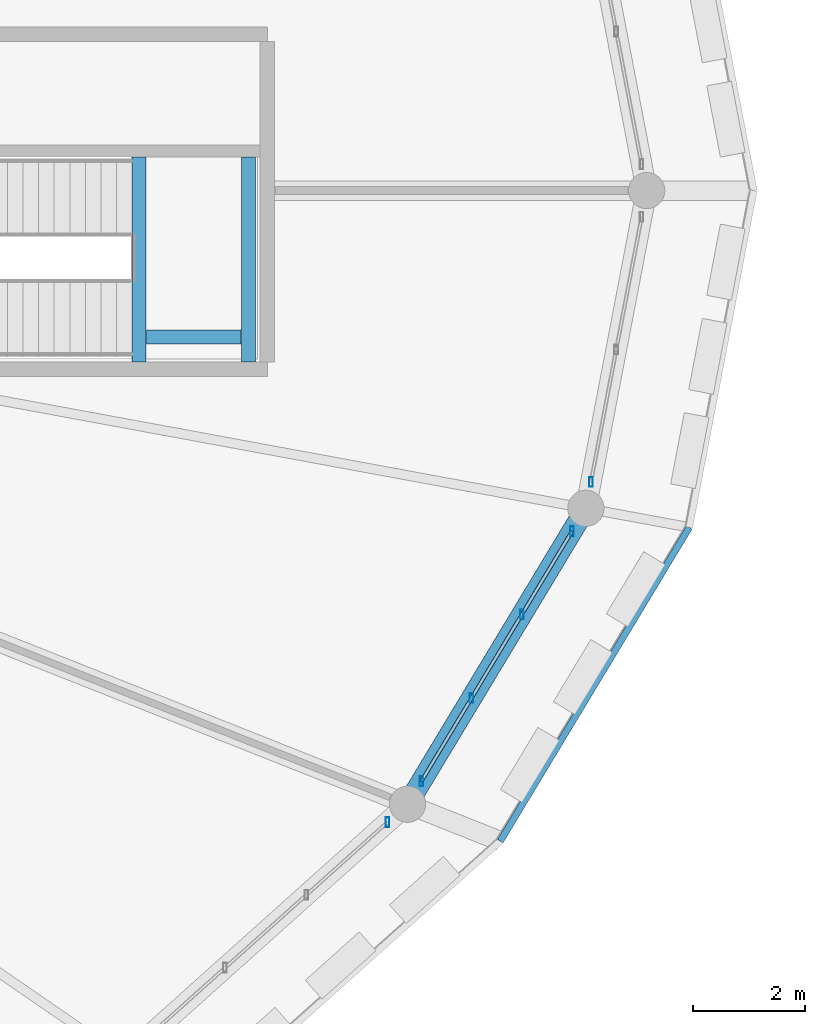
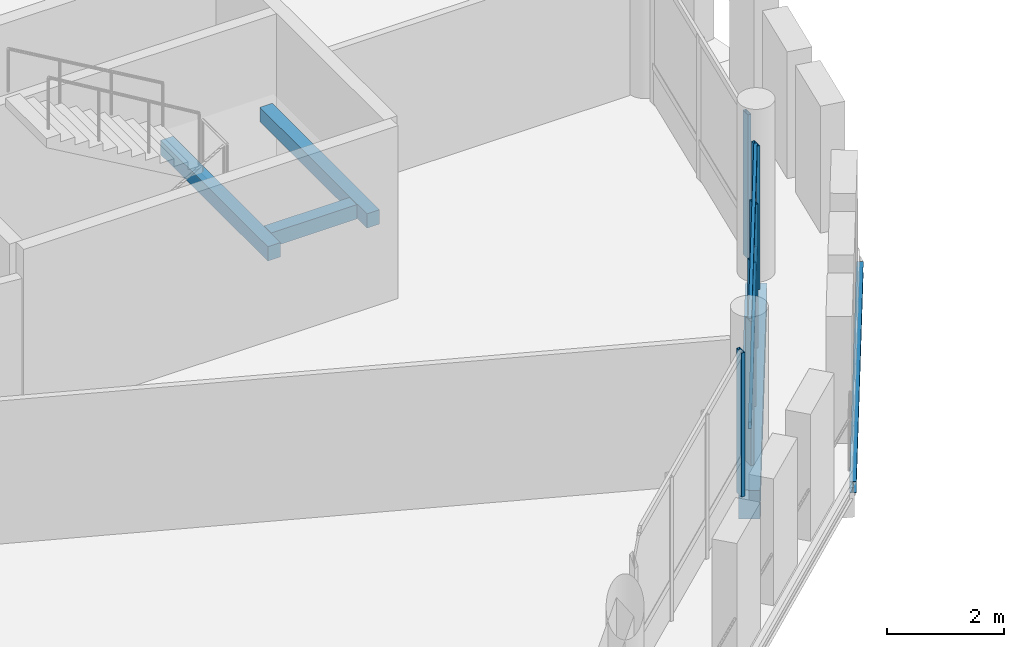
# One storey, part 33 of 93: 8 members, 5 beams, 3 elements without a shape of their own.
"""IFC4 building model written with IfcOpenShell, lengths in metres."""

import ifcopenshell
import ifcopenshell.guid

model = None  # the IFC model being written
_history = None  # IfcOwnerHistory: only IFC2X3 demands one
_inside = {}  # id of a spatial element -> (the spatial element, [elements in it])
_under = {}  # id of a project, library or spatial element -> (it, [spatial elements below it])
_declared = {}  # id of a project -> (the project, [libraries it declares])
_typed = {}  # id of a type object -> (the type object, [elements of that type])
_made_of = {}  # id of a material, layer set ... -> (it, [elements and type objects made of it])


def new_model(schema):
    """Start an empty IFC model of exactly this schema.

    Asked for "IFC4X3", IfcOpenShell would pick the latest addendum, in which some entities
    have other attributes; the version numbers below select the first issue.
    IFC2X3 requires an IfcOwnerHistory on every rooted entity: one is made here for all.
    """
    global model, _history
    if schema == "IFC4X3":
        model = ifcopenshell.file(schema_version=(4, 3, 0, 0))
    else:
        model = ifcopenshell.file(schema=schema)
    _inside.clear()
    _under.clear()
    _declared.clear()
    _typed.clear()
    _made_of.clear()
    _history = None
    if model.schema == "IFC2X3":
        org = make("IfcOrganization", Name="unknown")
        user = make(
            "IfcPersonAndOrganization",
            ThePerson=make("IfcPerson", FamilyName="unknown"),
            TheOrganization=org,
        )
        app = make(
            "IfcApplication",
            ApplicationDeveloper=org,
            Version="unknown",
            ApplicationFullName="unknown",
            ApplicationIdentifier="unknown",
        )
        _history = make(
            "IfcOwnerHistory",
            OwningUser=user,
            OwningApplication=app,
            ChangeAction="ADDED",
            CreationDate=0,
        )
    return model


def make(cls, **values):
    """One entity of the class cls with the attributes given. An attribute that is None is left unset."""
    return model.create_entity(
        cls, **{name: value for name, value in values.items() if value is not None}
    )


def rooted(cls, **values):
    """An entity with a GlobalId (a new one), such as an element, a storey or a relation."""
    return make(cls, GlobalId=ifcopenshell.guid.new(), OwnerHistory=_history, **values)


def si_unit(unit_type, name, prefix=None):
    """IfcSIUnit, for example si_unit("LENGTHUNIT", "METRE", prefix="MILLI")."""
    return make("IfcSIUnit", UnitType=unit_type, Prefix=prefix, Name=name)


def assignment(units):
    """IfcUnitAssignment: the units of a project."""
    return None if units is None else make("IfcUnitAssignment", Units=units)


def point(xyz):
    """IfcCartesianPoint."""
    return None if xyz is None else make("IfcCartesianPoint", Coordinates=xyz)


def direction(xyz):
    """IfcDirection."""
    return None if xyz is None else make("IfcDirection", DirectionRatios=xyz)


def frame(location, z_axis=None, x_axis=None):
    """IfcAxis2Placement3D, a coordinate frame: its origin and axes. An axis left out is left unset."""
    return make(
        "IfcAxis2Placement3D",
        Location=point(location),
        Axis=direction(z_axis),
        RefDirection=direction(x_axis),
    )


def frame_2d(location, x_axis=None):
    """IfcAxis2Placement2D, a coordinate frame in the plane: its origin and x axis."""
    return make(
        "IfcAxis2Placement2D", Location=point(location), RefDirection=direction(x_axis)
    )


def origin():
    """The frame at (0, 0, 0) with its axes left unset."""
    return frame((0.0, 0.0, 0.0))


def origin_2d():
    """The frame at (0, 0) in the plane with its x axis left unset."""
    return frame_2d((0.0, 0.0))


def place(relative_to, where):
    """IfcLocalPlacement: puts the frame where relative to a parent placement (None: the world)."""
    return make(
        "IfcLocalPlacement", PlacementRelTo=relative_to, RelativePlacement=where
    )


def context(
    kind, dimensions, precision=None, world=None, true_north=None, identifier=None
):
    """IfcGeometricRepresentationContext, for example the 3D "Model" context."""
    return make(
        "IfcGeometricRepresentationContext",
        ContextIdentifier=identifier,
        ContextType=kind,
        CoordinateSpaceDimension=dimensions,
        Precision=precision,
        WorldCoordinateSystem=world,
        TrueNorth=true_north,
    )


def subcontext(parent, identifier, kind, view, scale=None):
    """IfcGeometricRepresentationSubContext, for example "Body" below "Model"."""
    return make(
        "IfcGeometricRepresentationSubContext",
        ContextIdentifier=identifier,
        ContextType=kind,
        ParentContext=parent,
        TargetScale=scale,
        TargetView=view,
    )


def project(units=None, contexts=None):
    """IfcProject with its units and contexts."""
    return rooted(
        "IfcProject",
        Name="project",
        RepresentationContexts=contexts,
        UnitsInContext=assignment(units),
    )


def spatial(cls, under=None, at=None, **own):
    """A site, building, storey or space (cls), placed at a placement, below another one or the project."""
    s = rooted(cls, ObjectPlacement=at, **own)
    if under is not None:
        _under.setdefault(under.id(), (under, []))[1].append(s)
    return s


def profile(cls, at=None, kind="AREA", **sizes):
    """A parametric profile (cls). Its sizes go by their IFC names, for example OverallWidth=200.0."""
    return make(cls, ProfileType=kind, Position=at, **sizes)


def rectangle(**sizes):
    """IfcRectangleProfileDef."""
    return profile("IfcRectangleProfileDef", **sizes)


def hollow_rectangle(**sizes):
    """IfcRectangleHollowProfileDef."""
    return profile("IfcRectangleHollowProfileDef", **sizes)


def i_section(**sizes):
    """IfcIShapeProfileDef."""
    return profile("IfcIShapeProfileDef", **sizes)


def extrude(swept, where, along, depth):
    """IfcExtrudedAreaSolid: the profile swept, set in the frame where, extruded along a direction by depth."""
    return make(
        "IfcExtrudedAreaSolid",
        SweptArea=swept,
        Position=where,
        ExtrudedDirection=direction(along),
        Depth=depth,
    )


def shape(context_of_items, identifier, shape_type, items):
    """IfcShapeRepresentation: the items that make up one representation, for example the "Body"."""
    return make(
        "IfcShapeRepresentation",
        ContextOfItems=context_of_items,
        RepresentationIdentifier=identifier,
        RepresentationType=shape_type,
        Items=items,
    )


def material(Name=None, Category=None):
    """IfcMaterial."""
    return make("IfcMaterial", Name=Name, Category=Category)


def material_profile(
    of_material, cross_section, Name=None, Category=None, Priority=None
):
    """IfcMaterialProfile: a cross section and its material."""
    return make(
        "IfcMaterialProfile",
        Name=Name,
        Material=of_material,
        Profile=cross_section,
        Priority=Priority,
        Category=Category,
    )


def profile_set(profiles, Name=None, composite=None):
    """IfcMaterialProfileSet."""
    return make(
        "IfcMaterialProfileSet",
        Name=Name,
        MaterialProfiles=profiles,
        CompositeProfile=composite,
    )


def made_of(thing, what):
    """Note that an element or type object is made of a material, layer set ...; save() writes the relation."""
    if what is not None:
        _made_of.setdefault(what.id(), (what, []))[1].append(thing)
    return thing


def type_object(cls, material=None, **own):
    """A type object (cls), such as IfcWallType, which elements share."""
    return made_of(rooted(cls, **own), material)


def element(
    cls,
    number,
    at=None,
    inside=None,
    cuts=None,
    type_object=None,
    material=None,
    context=None,
    identifier="Body",
    shape_type=None,
    held_by="IfcProductDefinitionShape",
    body=None,
    shapes=None,
    **own,
):
    """One element of the class cls, such as IfcWall. Its Tag is "e" and its number.

    at: its placement. inside: the storey or other place that contains it. cuts: it is an
    opening in that element (IfcRelVoidsElement). A single representation is given by context,
    identifier, shape_type and body (its items); several are given by shapes. held_by: the class
    of the entity that holds the representations. save() writes the other relations.
    """
    e = rooted(cls, Tag="e%d" % number, ObjectPlacement=at, **own)
    if body is not None:
        shapes = [shape(context, identifier, shape_type, body)]
    if shapes is not None:
        e.Representation = make(held_by, Representations=shapes)
    if inside is not None:
        _inside.setdefault(inside.id(), (inside, []))[1].append(e)
    if cuts is not None:
        rooted(
            "IfcRelVoidsElement", RelatingBuildingElement=cuts, RelatedOpeningElement=e
        )
    if type_object is not None:
        _typed.setdefault(type_object.id(), (type_object, []))[1].append(e)
    return made_of(e, material)


def aggregate(whole, parts):
    """IfcRelAggregates: a whole, such as a stair, and the parts it consists of."""
    return rooted("IfcRelAggregates", RelatingObject=whole, RelatedObjects=parts)


def save(model, path):
    """Write the relations noted so far, then the file.

    IfcRelAggregates (storeys below a building ...), IfcRelContainedInSpatialStructure (elements
    in a storey), IfcRelDefinesByType, IfcRelAssociatesMaterial and IfcRelDeclares: one each for
    every whole, place, type object, material and project.
    """
    for whole, parts in _under.values():
        aggregate(whole, parts)
    for where, things in _inside.values():
        rooted(
            "IfcRelContainedInSpatialStructure",
            RelatedElements=things,
            RelatingStructure=where,
        )
    for kind, things in _typed.values():
        rooted("IfcRelDefinesByType", RelatedObjects=things, RelatingType=kind)
    for what, things in _made_of.values():
        rooted("IfcRelAssociatesMaterial", RelatedObjects=things, RelatingMaterial=what)
    for by, libraries in _declared.values():
        rooted("IfcRelDeclares", RelatingContext=by, RelatedDefinitions=libraries)
    model.write(path)


model = new_model("IFC4")

# Units and contexts
model_context = context("Model", 3, precision=1e-05, world=origin(), true_north=direction((0.0, 1.0)))
body_context = subcontext(model_context, "Body", "Model", "MODEL_VIEW")
ifc_project = project(units=[si_unit("LENGTHUNIT", "METRE"), si_unit("AREAUNIT", "SQUARE_METRE"), si_unit("VOLUMEUNIT", "CUBIC_METRE"), si_unit("PLANEANGLEUNIT", "RADIAN"), si_unit("MASSUNIT", "GRAM", prefix="KILO")], contexts=[model_context])

# Site, building, storey
site_placement = place(None, origin())
site = spatial("IfcSite", under=ifc_project, at=site_placement, CompositionType="ELEMENT")
building_placement = place(site_placement, origin())
building = spatial("IfcBuilding", under=site, at=building_placement, Name="Zornivar Specialist Clinic", CompositionType="ELEMENT")
storey_placement = place(building_placement, frame((0.0, 0.0, 8.39990234375)))
storey = spatial("IfcBuildingStorey", under=building, at=storey_placement, Name="L02", CompositionType="ELEMENT", Elevation=8.39990234375)

# Beams
ifc_material_1 = material(Name="Concrete C30/37", Category="concrete")
ifc_material_profile_1 = material_profile(ifc_material_1, rectangle(XDim=0.25, YDim=0.300048828125, at=origin_2d()), Name="RC 250x300")
ifc_profile_set_1 = profile_set([ifc_material_profile_1], Name="Concrete C30/37")
beam_type_1 = type_object("IfcBeamType", Name="BM-LAND-250x300", PredefinedType="BEAM", material=ifc_profile_set_1)
for number, where, z_axis, x_axis, name in (
    (1, (116.5, 54.530029296875, 1.6201171875), (0.0, 1.0, 0.0), (-1.0, 0.0, 0.0), "bm:stair:C4:L02:lW"),
    (2, (118.4599609375, 54.530029296875, 1.6201171875), (0.0, 1.0, 0.0), (-1.0, 0.0, 0.0), "bm:stair:C4:L02:lE"),
):
    element("IfcBeam", number, at=place(storey_placement, frame(where, z_axis=z_axis, x_axis=x_axis)), inside=storey, type_object=beam_type_1, Name=name, PredefinedType="BEAM", context=body_context, shape_type="SweptSolid", body=[
        extrude(rectangle(XDim=0.25, YDim=0.300048828125, at=origin_2d()), origin(), (0.0, 0.0, 1.0), 3.669921875),
    ])
beam_1_placement = place(storey_placement, frame((116.635009765625, 54.97998046875, 1.6201171875), z_axis=(1.0, 0.0, 0.0), x_axis=(0.0, 1.0, 0.0)))
element("IfcBeam", 3, at=beam_1_placement, inside=storey, type_object=beam_type_1, Name="bm:stair:C4:L02:lS", PredefinedType="BEAM", context=body_context, shape_type="SweptSolid", body=[
    extrude(rectangle(XDim=0.25, YDim=0.300048828125, at=origin_2d()), origin(), (0.0, 0.0, 1.0), 1.68994140625),
])
ifc_material_2 = material(Name="Concrete C30/37", Category="concrete")
ifc_material_profile_2 = material_profile(ifc_material_2, rectangle(XDim=0.3701171875, YDim=0.60009765625, at=origin_2d()), Name="RC 370x600")
ifc_profile_set_2 = profile_set([ifc_material_profile_2], Name="Concrete C30/37")
beam_type_2 = type_object("IfcBeamType", Name="BM-RC-SPANDREL-370x600", PredefinedType="SPANDREL", material=ifc_profile_set_2)
beam_2_placement = place(storey_placement, frame((121.31298828125, 46.60009765625, -0.539794921875), z_axis=(0.516094506256, 0.856531646007, 0.0), x_axis=(-0.856531646007, 0.516094506256, 0.0)))
element("IfcBeam", 4, at=beam_2_placement, inside=storey, type_object=beam_type_2, Name="bm:V1:L02:outring:22", PredefinedType="SPANDREL", context=body_context, shape_type="SweptSolid", body=[
    extrude(rectangle(XDim=0.3701171875, YDim=0.60009765625, at=origin_2d()), origin(), (0.0, 0.0, 1.0), 6.194580078125),
])
ifc_material_3 = material(Name="Steel S355J2", Category="steel")
ifc_material_profile_3 = material_profile(ifc_material_3, i_section(OverallWidth=0.1201171875, OverallDepth=0.239990234375, WebThickness=0.006103515625, FlangeThickness=0.009765625, FilletRadius=0.014892578125, at=origin_2d()), Name="IPE 240")
ifc_profile_set_3 = profile_set([ifc_material_profile_3], Name="Steel S355J2")
beam_type_3 = type_object("IfcBeamType", Name="BM-STL-IPE240", PredefinedType="JOIST", material=ifc_profile_set_3)
beam_3_placement = place(storey_placement, frame((122.97607421875, 45.93994140625, -0.35986328125), z_axis=(0.516009675347, 0.856582754291, 0.0), x_axis=(-0.856582754291, 0.516009675347, 0.0)))
element("IfcBeam", 5, at=beam_3_placement, inside=storey, type_object=beam_type_3, Name="bm:V1:L02:balring:22", PredefinedType="JOIST", context=body_context, shape_type="SweptSolid", body=[
    extrude(i_section(OverallWidth=0.1201171875, OverallDepth=0.239990234375, WebThickness=0.006103515625, FlangeThickness=0.009765625, FilletRadius=0.014892578125, at=origin_2d()), origin(), (0.0, 0.0, 1.0), 6.565673828125),
])

# Curtain wall, member
ifc_material_4 = material(Name="Aluminium and Low-E Glass Curtain Wall", Category="aluminium")
curtain_wall_type = type_object("IfcCurtainWallType", Name="CW-DRUM-FACET", PredefinedType="NOTDEFINED", material=ifc_material_4)
curtain_wall_1_placement = place(storey_placement, origin())
curtain_wall_1 = element("IfcCurtainWall", 6, at=curtain_wall_1_placement, inside=storey, type_object=curtain_wall_type, Name="cw:V1:L02:c21", PredefinedType="NOTDEFINED")
ifc_material_5 = material(Name="Aluminium AW-6060", Category="aluminium")
ifc_material_profile_4 = material_profile(ifc_material_5, hollow_rectangle(XDim=0.06494140625, YDim=0.175048828125, WallThickness=0.00439453125, at=origin_2d()), Name="ALU 65x175x4.5")
ifc_profile_set_4 = profile_set([ifc_material_profile_4], Name="Aluminium AW-6060")
member_type_1 = type_object("IfcMemberType", Name="CWM-MUL-175", PredefinedType="MULLION", material=ifc_profile_set_4)
member_1_placement = place(storey_placement, frame((120.955078125, 46.279052734375, 0.0), z_axis=(0.0, 0.0, 1.0), x_axis=(1.0, 0.0, 0.0)))
member_1 = element("IfcMember", 7, at=member_1_placement, type_object=member_type_1, Name="cw:V1:L02:c21:mul:3", PredefinedType="MULLION", context=body_context, shape_type="SweptSolid", body=[
    extrude(hollow_rectangle(XDim=0.06494140625, YDim=0.175048828125, WallThickness=0.00439453125, at=origin_2d()), origin(), (0.0, 0.0, 1.0), 3.010009765625),
])
aggregate(curtain_wall_1, [member_1])

# Curtain wall, members
curtain_wall_2_placement = place(storey_placement, origin())
curtain_wall_2 = element("IfcCurtainWall", 8, at=curtain_wall_2_placement, inside=storey, type_object=curtain_wall_type, Name="cw:V1:L02:c22", PredefinedType="NOTDEFINED")
member_2_placement = place(storey_placement, frame((121.56103515625, 47.010986328125, 0.0), z_axis=(0.0, 0.0, 1.0), x_axis=(1.0, 0.0, 0.0)))
member_2 = element("IfcMember", 9, at=member_2_placement, type_object=member_type_1, Name="cw:V1:L02:c22:mul:0", PredefinedType="MULLION", context=body_context, shape_type="SweptSolid", body=[
    extrude(hollow_rectangle(XDim=0.06494140625, YDim=0.175048828125, WallThickness=0.00439453125, at=origin_2d()), origin(), (0.0, 0.0, 1.0), 3.010009765625),
])
member_3_placement = place(storey_placement, frame((122.4609375, 48.506103515625, 0.0), z_axis=(0.0, 0.0, 1.0), x_axis=(1.0, 0.0, 0.0)))
member_3 = element("IfcMember", 10, at=member_3_placement, type_object=member_type_1, Name="cw:V1:L02:c22:mul:1", PredefinedType="MULLION", context=body_context, shape_type="SweptSolid", body=[
    extrude(hollow_rectangle(XDim=0.06494140625, YDim=0.175048828125, WallThickness=0.00439453125, at=origin_2d()), origin(), (0.0, 0.0, 1.0), 3.010009765625),
])
member_4_placement = place(storey_placement, frame((123.362060546875, 50.0009765625, 0.0), z_axis=(0.0, 0.0, 1.0), x_axis=(1.0, 0.0, 0.0)))
member_4 = element("IfcMember", 11, at=member_4_placement, type_object=member_type_1, Name="cw:V1:L02:c22:mul:2", PredefinedType="MULLION", context=body_context, shape_type="SweptSolid", body=[
    extrude(hollow_rectangle(XDim=0.06494140625, YDim=0.175048828125, WallThickness=0.00439453125, at=origin_2d()), origin(), (0.0, 0.0, 1.0), 3.010009765625),
])
member_5_placement = place(storey_placement, frame((124.261962890625, 51.4951171875, 0.0), z_axis=(0.0, 0.0, 1.0), x_axis=(1.0, 0.0, 0.0)))
member_5 = element("IfcMember", 12, at=member_5_placement, type_object=member_type_1, Name="cw:V1:L02:c22:mul:3", PredefinedType="MULLION", context=body_context, shape_type="SweptSolid", body=[
    extrude(hollow_rectangle(XDim=0.06494140625, YDim=0.175048828125, WallThickness=0.00439453125, at=origin_2d()), origin(), (0.0, 0.0, 1.0), 3.010009765625),
])

# Curtain wall, member
curtain_wall_3_placement = place(storey_placement, origin())
curtain_wall_3 = element("IfcCurtainWall", 13, at=curtain_wall_3_placement, inside=storey, type_object=curtain_wall_type, Name="cw:V1:L02:c23", PredefinedType="NOTDEFINED")
member_6_placement = place(storey_placement, frame((124.60107421875, 52.376953125, 0.0), z_axis=(0.0, 0.0, 1.0), x_axis=(1.0, 0.0, 0.0)))
member_6 = element("IfcMember", 14, at=member_6_placement, type_object=member_type_1, Name="cw:V1:L02:c23:mul:0", PredefinedType="MULLION", context=body_context, shape_type="SweptSolid", body=[
    extrude(hollow_rectangle(XDim=0.06494140625, YDim=0.175048828125, WallThickness=0.00439453125, at=origin_2d()), origin(), (0.0, 0.0, 1.0), 3.010009765625),
])
aggregate(curtain_wall_3, [member_6])

# Member
ifc_material_6 = material(Name="Aluminium AW-6060", Category="aluminium")
ifc_material_profile_5 = material_profile(ifc_material_6, hollow_rectangle(XDim=0.06005859375, YDim=0.14501953125, WallThickness=0.00390625, at=origin_2d()), Name="ALU 60x145x4")
ifc_profile_set_5 = profile_set([ifc_material_profile_5], Name="Aluminium AW-6060")
member_type_2 = type_object("IfcMemberType", Name="CWM-TRN-145", PredefinedType="USERDEFINED", material=ifc_profile_set_5)
member_7_placement = place(storey_placement, frame((121.56103515625, 47.010986328125, 0.783203125), z_axis=(0.515962745671, 0.856611023207, 0.0), x_axis=(-0.856611023207, 0.515962745671, 0.0)))
member_7 = element("IfcMember", 15, at=member_7_placement, type_object=member_type_2, Name="cw:V1:L02:c22:trn:0", ObjectType="TRANSOM", PredefinedType="USERDEFINED", context=body_context, shape_type="SweptSolid", body=[
    extrude(hollow_rectangle(XDim=0.06005859375, YDim=0.14501953125, WallThickness=0.00390625, at=origin_2d()), origin(), (0.0, 0.0, 1.0), 5.234619140625),
])

member_8_placement = place(storey_placement, frame((121.56103515625, 47.010986328125, 2.945068359375), z_axis=(0.515962745671, 0.856611023207, 0.0), x_axis=(-0.856611023207, 0.515962745671, 0.0)))
member_8 = element("IfcMember", 16, at=member_8_placement, type_object=member_type_2, Name="cw:V1:L02:c22:trn:1", ObjectType="TRANSOM", PredefinedType="USERDEFINED", context=body_context, shape_type="SweptSolid", body=[
    extrude(hollow_rectangle(XDim=0.06005859375, YDim=0.14501953125, WallThickness=0.00390625, at=origin_2d()), origin(), (0.0, 0.0, 1.0), 5.234619140625),
])

aggregate(curtain_wall_2, [member_2, member_3, member_4, member_5, member_7, member_8])

save(model, "model.ifc")
